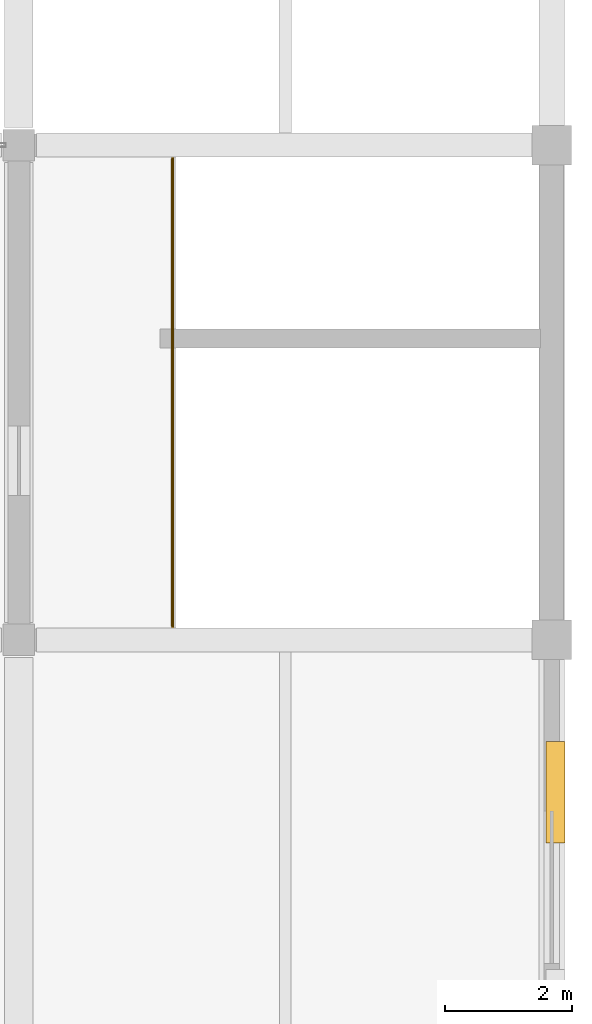
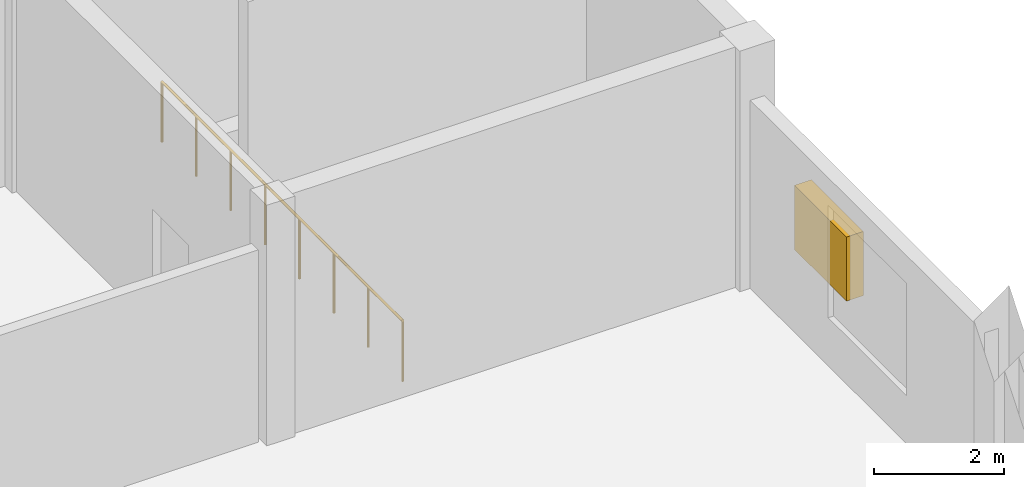
# One storey, part 53 of 53: 1 railing, 1 shading device.
"""IFC4 building model written with IfcOpenShell, lengths in metres."""

from ifc_helpers import new_model, si_unit, direction, frame, origin, origin_2d, place, context, subcontext, project, spatial, rectangle, circle, extrude, material, type_object, element, save


model = new_model("IFC4")

# Units and contexts
model_context = context("Model", 3, precision=1e-05, world=origin(), true_north=direction((0.0, 1.0)))
body_context = subcontext(model_context, "Body", "Model", "MODEL_VIEW")
ifc_project = project(units=[si_unit("LENGTHUNIT", "METRE"), si_unit("AREAUNIT", "SQUARE_METRE"), si_unit("VOLUMEUNIT", "CUBIC_METRE"), si_unit("PLANEANGLEUNIT", "RADIAN"), si_unit("MASSUNIT", "GRAM", prefix="KILO")], contexts=[model_context])

# Site, building, storey
site_placement = place(None, origin())
site = spatial("IfcSite", under=ifc_project, at=site_placement, CompositionType="ELEMENT")
building_placement = place(site_placement, origin())
building = spatial("IfcBuilding", under=site, at=building_placement, Name="Pellamere Symphony Hall", CompositionType="ELEMENT")
storey_placement = place(building_placement, frame((0.0, 0.0, 24.0)))
storey = spatial("IfcBuildingStorey", under=building, at=storey_placement, Name="L05", CompositionType="ELEMENT", Elevation=24.0)

# Shading device
ifc_material_1 = material(Name="Champagne-Anodised Extruded Aluminium 6063-T6", Category="aluminium")
shading_device_type = type_object("IfcShadingDeviceType", Name="Exterior Shading SD-03 1600x300", PredefinedType="USERDEFINED", material=ifc_material_1)
shading_device_placement = place(storey_placement, frame((172.860107421875, 67.199951171875, 1.5), z_axis=(0.0, 0.0, 1.0), x_axis=(1.0, 0.0, 0.0)))
element("IfcShadingDevice", 1, at=shading_device_placement, inside=storey, type_object=shading_device_type, Name="Acoustic Plant Intake Louvre 04", ObjectType="ACOUSTIC LOUVRE", PredefinedType="USERDEFINED", context=body_context, shape_type="SweptSolid", body=[
    extrude(rectangle(XDim=0.300048828125, YDim=1.60009765625, at=origin_2d()), origin(), (0.0, 0.0, 1.0), 1.199951171875),
])

# Railing
ifc_material_2 = material(Name="Painted Steel CSA G40.21 350W", Category="steel")
railing_type = type_object("IfcRailingType", Name="Guardrail GR-02 H1150 Painted", PredefinedType="GUARDRAIL", material=ifc_material_2)
railing_placement = place(storey_placement, frame((166.824951171875, 69.81005859375, 0.0)))
element("IfcRailing", 2, at=railing_placement, inside=storey, type_object=railing_type, Name="Stair ST05-L04 Top Landing Well Guard (L05)", PredefinedType="GUARDRAIL", context=body_context, shape_type="SweptSolid", body=[
    extrude(circle(Radius=0.02392578125, at=origin_2d()), frame((0.0, 0.0, 1.1259765625), z_axis=(0.0, 1.0, 0.0), x_axis=(-1.0, 0.0, 0.0)), (0.0, 0.0, 1.0), 7.3798828125),
    extrude(circle(Radius=0.02099609375, at=origin_2d()), origin(), (0.0, 0.0, 1.0), 1.101806640625),
    extrude(circle(Radius=0.02099609375, at=origin_2d()), frame((0.0, 1.05419921875, 0.0)), (0.0, 0.0, 1.0), 1.101806640625),
    extrude(circle(Radius=0.02099609375, at=origin_2d()), frame((0.0, 2.108642578125, 0.0)), (0.0, 0.0, 1.0), 1.101806640625),
    extrude(circle(Radius=0.02099609375, at=origin_2d()), frame((0.0, 3.162841796875, 0.0)), (0.0, 0.0, 1.0), 1.101806640625),
    extrude(circle(Radius=0.02099609375, at=origin_2d()), frame((0.0, 4.217041015625, 0.0)), (0.0, 0.0, 1.0), 1.101806640625),
    extrude(circle(Radius=0.02099609375, at=origin_2d()), frame((0.0, 5.271240234375, 0.0)), (0.0, 0.0, 1.0), 1.101806640625),
    extrude(circle(Radius=0.02099609375, at=origin_2d()), frame((0.0, 6.32568359375, 0.0)), (0.0, 0.0, 1.0), 1.101806640625),
    extrude(circle(Radius=0.02099609375, at=origin_2d()), frame((0.0, 7.3798828125, 0.0)), (0.0, 0.0, 1.0), 1.101806640625),
])

save(model, "model.ifc")
